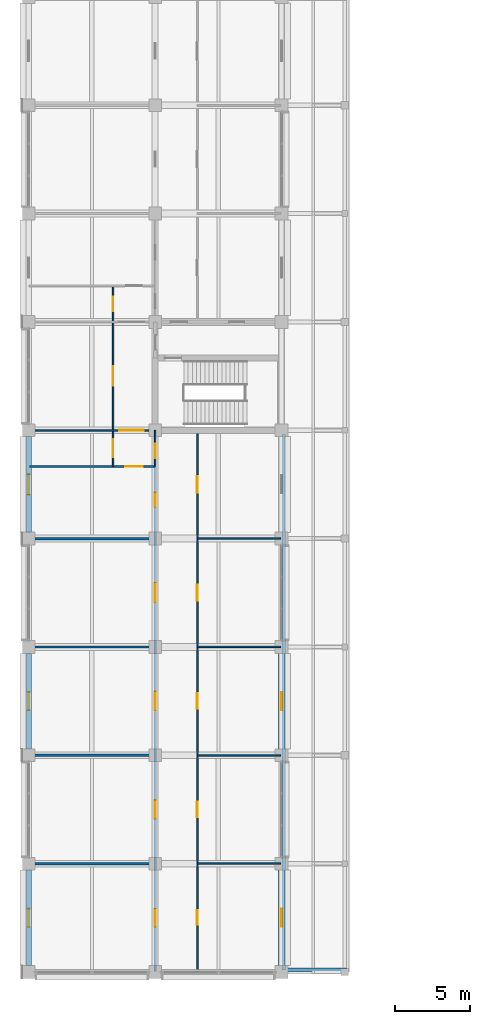
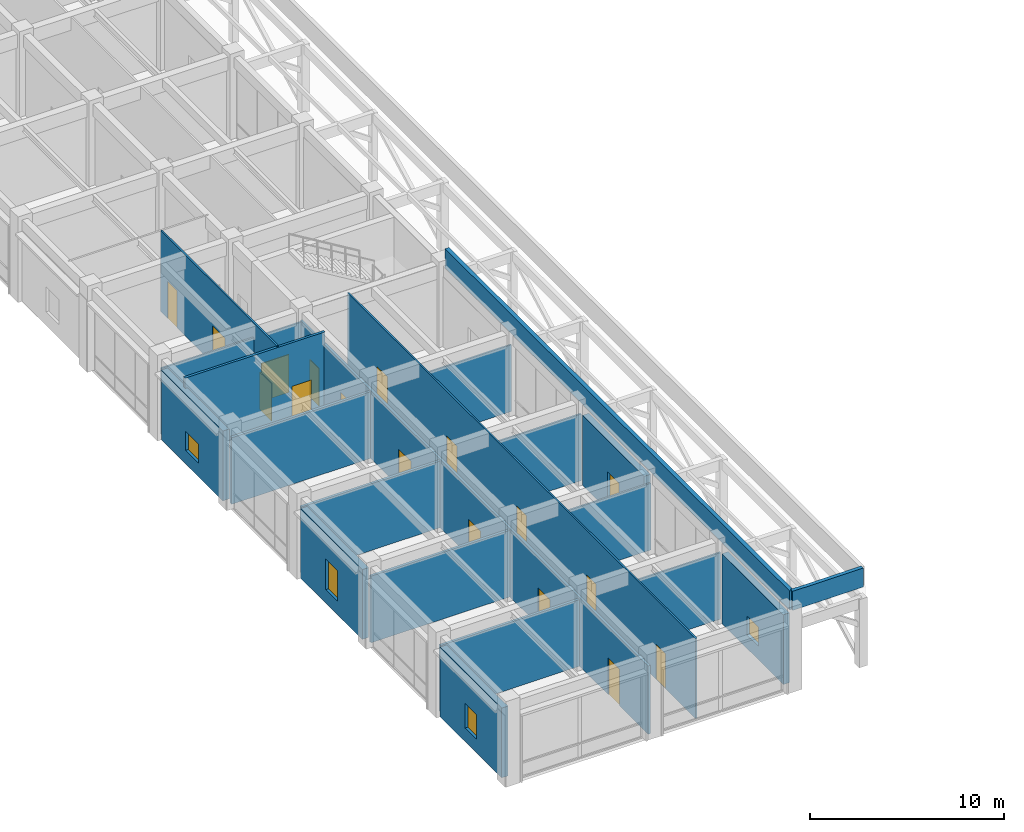
# One storey, part 36 of 68: 21 walls, 16 doors, 5 windows, 21 openings.
"""IFC4 building model written with IfcOpenShell, lengths in metres."""

import ifcopenshell
import ifcopenshell.guid

model = None  # the IFC model being written
_history = None  # IfcOwnerHistory: only IFC2X3 demands one
_inside = {}  # id of a spatial element -> (the spatial element, [elements in it])
_under = {}  # id of a project, library or spatial element -> (it, [spatial elements below it])
_declared = {}  # id of a project -> (the project, [libraries it declares])
_typed = {}  # id of a type object -> (the type object, [elements of that type])
_made_of = {}  # id of a material, layer set ... -> (it, [elements and type objects made of it])


def new_model(schema):
    """Start an empty IFC model of exactly this schema.

    Asked for "IFC4X3", IfcOpenShell would pick the latest addendum, in which some entities
    have other attributes; the version numbers below select the first issue.
    IFC2X3 requires an IfcOwnerHistory on every rooted entity: one is made here for all.
    """
    global model, _history
    if schema == "IFC4X3":
        model = ifcopenshell.file(schema_version=(4, 3, 0, 0))
    else:
        model = ifcopenshell.file(schema=schema)
    _inside.clear()
    _under.clear()
    _declared.clear()
    _typed.clear()
    _made_of.clear()
    _history = None
    if model.schema == "IFC2X3":
        org = make("IfcOrganization", Name="unknown")
        user = make(
            "IfcPersonAndOrganization",
            ThePerson=make("IfcPerson", FamilyName="unknown"),
            TheOrganization=org,
        )
        app = make(
            "IfcApplication",
            ApplicationDeveloper=org,
            Version="unknown",
            ApplicationFullName="unknown",
            ApplicationIdentifier="unknown",
        )
        _history = make(
            "IfcOwnerHistory",
            OwningUser=user,
            OwningApplication=app,
            ChangeAction="ADDED",
            CreationDate=0,
        )
    return model


def make(cls, **values):
    """One entity of the class cls with the attributes given. An attribute that is None is left unset."""
    return model.create_entity(
        cls, **{name: value for name, value in values.items() if value is not None}
    )


def rooted(cls, **values):
    """An entity with a GlobalId (a new one), such as an element, a storey or a relation."""
    return make(cls, GlobalId=ifcopenshell.guid.new(), OwnerHistory=_history, **values)


def si_unit(unit_type, name, prefix=None):
    """IfcSIUnit, for example si_unit("LENGTHUNIT", "METRE", prefix="MILLI")."""
    return make("IfcSIUnit", UnitType=unit_type, Prefix=prefix, Name=name)


def assignment(units):
    """IfcUnitAssignment: the units of a project."""
    return None if units is None else make("IfcUnitAssignment", Units=units)


def point(xyz):
    """IfcCartesianPoint."""
    return None if xyz is None else make("IfcCartesianPoint", Coordinates=xyz)


def direction(xyz):
    """IfcDirection."""
    return None if xyz is None else make("IfcDirection", DirectionRatios=xyz)


def frame(location, z_axis=None, x_axis=None):
    """IfcAxis2Placement3D, a coordinate frame: its origin and axes. An axis left out is left unset."""
    return make(
        "IfcAxis2Placement3D",
        Location=point(location),
        Axis=direction(z_axis),
        RefDirection=direction(x_axis),
    )


def frame_2d(location, x_axis=None):
    """IfcAxis2Placement2D, a coordinate frame in the plane: its origin and x axis."""
    return make(
        "IfcAxis2Placement2D", Location=point(location), RefDirection=direction(x_axis)
    )


def origin():
    """The frame at (0, 0, 0) with its axes left unset."""
    return frame((0.0, 0.0, 0.0))


def place(relative_to, where):
    """IfcLocalPlacement: puts the frame where relative to a parent placement (None: the world)."""
    return make(
        "IfcLocalPlacement", PlacementRelTo=relative_to, RelativePlacement=where
    )


def context(
    kind, dimensions, precision=None, world=None, true_north=None, identifier=None
):
    """IfcGeometricRepresentationContext, for example the 3D "Model" context."""
    return make(
        "IfcGeometricRepresentationContext",
        ContextIdentifier=identifier,
        ContextType=kind,
        CoordinateSpaceDimension=dimensions,
        Precision=precision,
        WorldCoordinateSystem=world,
        TrueNorth=true_north,
    )


def subcontext(parent, identifier, kind, view, scale=None):
    """IfcGeometricRepresentationSubContext, for example "Body" below "Model"."""
    return make(
        "IfcGeometricRepresentationSubContext",
        ContextIdentifier=identifier,
        ContextType=kind,
        ParentContext=parent,
        TargetScale=scale,
        TargetView=view,
    )


def project(units=None, contexts=None):
    """IfcProject with its units and contexts."""
    return rooted(
        "IfcProject",
        Name="project",
        RepresentationContexts=contexts,
        UnitsInContext=assignment(units),
    )


def spatial(cls, under=None, at=None, **own):
    """A site, building, storey or space (cls), placed at a placement, below another one or the project."""
    s = rooted(cls, ObjectPlacement=at, **own)
    if under is not None:
        _under.setdefault(under.id(), (under, []))[1].append(s)
    return s


def profile(cls, at=None, kind="AREA", **sizes):
    """A parametric profile (cls). Its sizes go by their IFC names, for example OverallWidth=200.0."""
    return make(cls, ProfileType=kind, Position=at, **sizes)


def rectangle(**sizes):
    """IfcRectangleProfileDef."""
    return profile("IfcRectangleProfileDef", **sizes)


def extrude(swept, where, along, depth):
    """IfcExtrudedAreaSolid: the profile swept, set in the frame where, extruded along a direction by depth."""
    return make(
        "IfcExtrudedAreaSolid",
        SweptArea=swept,
        Position=where,
        ExtrudedDirection=direction(along),
        Depth=depth,
    )


def shape(context_of_items, identifier, shape_type, items):
    """IfcShapeRepresentation: the items that make up one representation, for example the "Body"."""
    return make(
        "IfcShapeRepresentation",
        ContextOfItems=context_of_items,
        RepresentationIdentifier=identifier,
        RepresentationType=shape_type,
        Items=items,
    )


def material(Name=None, Category=None):
    """IfcMaterial."""
    return make("IfcMaterial", Name=Name, Category=Category)


def layer(
    of_material, thickness, ventilated=None, Name=None, Category=None, Priority=None
):
    """IfcMaterialLayer: one layer of a wall or slab, of a material (None: an air gap)."""
    return make(
        "IfcMaterialLayer",
        Material=of_material,
        LayerThickness=thickness,
        IsVentilated=ventilated,
        Name=Name,
        Category=Category,
        Priority=Priority,
    )


def layer_set(layers, Name=None):
    """IfcMaterialLayerSet."""
    return make("IfcMaterialLayerSet", MaterialLayers=layers, LayerSetName=Name)


def made_of(thing, what):
    """Note that an element or type object is made of a material, layer set ...; save() writes the relation."""
    if what is not None:
        _made_of.setdefault(what.id(), (what, []))[1].append(thing)
    return thing


def type_object(cls, material=None, **own):
    """A type object (cls), such as IfcWallType, which elements share."""
    return made_of(rooted(cls, **own), material)


def element(
    cls,
    number,
    at=None,
    inside=None,
    cuts=None,
    type_object=None,
    material=None,
    context=None,
    identifier="Body",
    shape_type=None,
    held_by="IfcProductDefinitionShape",
    body=None,
    shapes=None,
    **own,
):
    """One element of the class cls, such as IfcWall. Its Tag is "e" and its number.

    at: its placement. inside: the storey or other place that contains it. cuts: it is an
    opening in that element (IfcRelVoidsElement). A single representation is given by context,
    identifier, shape_type and body (its items); several are given by shapes. held_by: the class
    of the entity that holds the representations. save() writes the other relations.
    """
    e = rooted(cls, Tag="e%d" % number, ObjectPlacement=at, **own)
    if body is not None:
        shapes = [shape(context, identifier, shape_type, body)]
    if shapes is not None:
        e.Representation = make(held_by, Representations=shapes)
    if inside is not None:
        _inside.setdefault(inside.id(), (inside, []))[1].append(e)
    if cuts is not None:
        rooted(
            "IfcRelVoidsElement", RelatingBuildingElement=cuts, RelatedOpeningElement=e
        )
    if type_object is not None:
        _typed.setdefault(type_object.id(), (type_object, []))[1].append(e)
    return made_of(e, material)


def fill(opening, filler):
    """IfcRelFillsElement: the door or window that sits in an opening."""
    return rooted(
        "IfcRelFillsElement",
        RelatingOpeningElement=opening,
        RelatedBuildingElement=filler,
    )


def aggregate(whole, parts):
    """IfcRelAggregates: a whole, such as a stair, and the parts it consists of."""
    return rooted("IfcRelAggregates", RelatingObject=whole, RelatedObjects=parts)


def save(model, path):
    """Write the relations noted so far, then the file.

    IfcRelAggregates (storeys below a building ...), IfcRelContainedInSpatialStructure (elements
    in a storey), IfcRelDefinesByType, IfcRelAssociatesMaterial and IfcRelDeclares: one each for
    every whole, place, type object, material and project.
    """
    for whole, parts in _under.values():
        aggregate(whole, parts)
    for where, things in _inside.values():
        rooted(
            "IfcRelContainedInSpatialStructure",
            RelatedElements=things,
            RelatingStructure=where,
        )
    for kind, things in _typed.values():
        rooted("IfcRelDefinesByType", RelatedObjects=things, RelatingType=kind)
    for what, things in _made_of.values():
        rooted("IfcRelAssociatesMaterial", RelatedObjects=things, RelatingMaterial=what)
    for by, libraries in _declared.values():
        rooted("IfcRelDeclares", RelatingContext=by, RelatedDefinitions=libraries)
    model.write(path)


model = new_model("IFC4")

# Units and contexts
model_context = context("Model", 3, precision=1e-05, world=origin(), true_north=direction((0.0, 1.0)))
body_context = subcontext(model_context, "Body", "Model", "MODEL_VIEW")
ifc_project = project(units=[si_unit("LENGTHUNIT", "METRE"), si_unit("AREAUNIT", "SQUARE_METRE"), si_unit("VOLUMEUNIT", "CUBIC_METRE"), si_unit("PLANEANGLEUNIT", "RADIAN"), si_unit("MASSUNIT", "GRAM", prefix="KILO")], contexts=[model_context])

# Site, building, storey
site_placement = place(None, origin())
site = spatial("IfcSite", under=ifc_project, at=site_placement, CompositionType="ELEMENT")
building_placement = place(site_placement, origin())
building = spatial("IfcBuilding", under=site, at=building_placement, Name="Chengyuan Square Courthouse", CompositionType="ELEMENT")
storey_placement = place(building_placement, frame((0.0, 0.0, 5.39990234375)))
storey = spatial("IfcBuildingStorey", under=building, at=storey_placement, Name="L02", CompositionType="ELEMENT", Elevation=5.39990234375)

# Wall, opening, window
ifc_material_1 = material(Name="Concrete C40", Category="concrete")
ifc_layer_1 = layer(ifc_material_1, 0.3798828125)
ifc_layer_set_1 = layer_set([ifc_layer_1], Name="Concrete C40")
wall_type_1 = type_object("IfcWallType", Name="WL-EW1", PredefinedType="STANDARD", material=ifc_layer_set_1)
wall_1_placement = place(storey_placement, frame((0.0, 0.419921875, 0.0), z_axis=(0.0, 0.0, 1.0), x_axis=(0.0, 1.0, 0.0)))
wall_1 = element("IfcWall", 1, at=wall_1_placement, inside=storey, type_object=wall_type_1, Name="Exterior Wall WL-L02-E205", PredefinedType="STANDARD", context=body_context, shape_type="SweptSolid", body=[
    extrude(rectangle(XDim=6.360107421875, YDim=0.3798828125, at=frame_2d((3.18017578125, 0.0))), origin(), (0.0, 0.0, 1.0), 4.400146484375),
])
opening_1_placement = place(wall_1_placement, frame((2.580078125, 0.0, 0.85009765625)))
opening_1 = element("IfcOpeningElement", 2, at=opening_1_placement, cuts=wall_1, Name="Opening WN-019", PredefinedType="OPENING", context=body_context, shape_type="SweptSolid", body=[
    extrude(rectangle(XDim=1.199951171875, YDim=1.56005859375, at=frame_2d((0.60009765625, 0.780029296875))), frame((0.0, 0.201904296875, 0.0), z_axis=(0.0, -1.0, 0.0), x_axis=(1.0, 0.0, 0.0)), (0.0, 0.0, 1.0), 0.40380859375),
])
ifc_material_2 = material(Name="Thermally Broken Aluminium Triple Low-E Window", Category="aluminium")
window_type_1 = type_object("IfcWindowType", Name="WT-15", PartitioningType="SINGLE_PANEL", PredefinedType="WINDOW", material=ifc_material_2)
window_1_placement = place(opening_1_placement, origin())
window_1 = element("IfcWindow", 3, at=window_1_placement, inside=storey, type_object=window_type_1, Name="Facade Window WN-019", OverallHeight=1.56005859375, OverallWidth=1.199951171875, PartitioningType="SINGLE_PANEL", PredefinedType="WINDOW", context=body_context, shape_type="SweptSolid", body=[
    extrude(rectangle(XDim=1.199951171875, YDim=1.56005859375, at=frame_2d((0.60009765625, 0.780029296875))), frame((0.0, 0.030029296875, 0.0), z_axis=(0.0, -1.0, 0.0), x_axis=(1.0, 0.0, 0.0)), (0.0, 0.0, 1.0), 0.06005859375),
])
fill(opening_1, window_1)

wall_2_placement = place(storey_placement, frame((0.0, 14.820068359375, 0.0), z_axis=(0.0, 0.0, 1.0), x_axis=(0.0, 1.0, 0.0)))
wall_2 = element("IfcWall", 4, at=wall_2_placement, inside=storey, type_object=wall_type_1, Name="Exterior Wall WL-L02-E206", PredefinedType="STANDARD", context=body_context, shape_type="SweptSolid", body=[
    extrude(rectangle(XDim=6.35986328125, YDim=0.3798828125, at=frame_2d((3.179931640625, 0.0))), origin(), (0.0, 0.0, 1.0), 4.400146484375),
])
opening_2_placement = place(wall_2_placement, frame((2.580078125, 0.0, 0.85009765625)))
opening_2 = element("IfcOpeningElement", 5, at=opening_2_placement, cuts=wall_2, Name="Opening WN-020", PredefinedType="OPENING", context=body_context, shape_type="SweptSolid", body=[
    extrude(rectangle(XDim=1.199951171875, YDim=1.919921875, at=frame_2d((0.60009765625, 0.9599609375))), frame((0.0, 0.201904296875, 0.0), z_axis=(0.0, -1.0, 0.0), x_axis=(1.0, 0.0, 0.0)), (0.0, 0.0, 1.0), 0.40380859375),
])
window_type_2 = type_object("IfcWindowType", Name="WT-17", PartitioningType="SINGLE_PANEL", PredefinedType="WINDOW", material=ifc_material_2)
window_2_placement = place(opening_2_placement, origin())
window_2 = element("IfcWindow", 6, at=window_2_placement, inside=storey, type_object=window_type_2, Name="Facade Window WN-020", OverallHeight=1.919921875, OverallWidth=1.199951171875, PartitioningType="SINGLE_PANEL", PredefinedType="WINDOW", context=body_context, shape_type="SweptSolid", body=[
    extrude(rectangle(XDim=1.199951171875, YDim=1.919921875, at=frame_2d((0.60009765625, 0.9599609375))), frame((0.0, 0.030029296875, 0.0), z_axis=(0.0, -1.0, 0.0), x_axis=(1.0, 0.0, 0.0)), (0.0, 0.0, 1.0), 0.06005859375),
])
fill(opening_2, window_2)

wall_3_placement = place(storey_placement, frame((0.0, 29.219970703125, 0.0), z_axis=(0.0, 0.0, 1.0), x_axis=(0.0, 1.0, 0.0)))
wall_3 = element("IfcWall", 7, at=wall_3_placement, inside=storey, type_object=wall_type_1, Name="Exterior Wall WL-L02-E207", PredefinedType="STANDARD", context=body_context, shape_type="SweptSolid", body=[
    extrude(rectangle(XDim=6.360107421875, YDim=0.3798828125, at=frame_2d((3.18017578125, 0.0))), origin(), (0.0, 0.0, 1.0), 4.400146484375),
])
opening_3_placement = place(wall_3_placement, frame((2.5048828125, 0.0, 0.85009765625)))
opening_3 = element("IfcOpeningElement", 8, at=opening_3_placement, cuts=wall_3, Name="Opening WN-021", PredefinedType="OPENING", context=body_context, shape_type="SweptSolid", body=[
    extrude(rectangle(XDim=1.35009765625, YDim=1.199951171875, at=frame_2d((0.675048828125, 0.60009765625))), frame((0.0, 0.201904296875, 0.0), z_axis=(0.0, -1.0, 0.0), x_axis=(1.0, 0.0, 0.0)), (0.0, 0.0, 1.0), 0.40380859375),
])
window_type_3 = type_object("IfcWindowType", Name="WT-19", PartitioningType="SINGLE_PANEL", PredefinedType="WINDOW", material=ifc_material_2)
window_3_placement = place(opening_3_placement, origin())
window_3 = element("IfcWindow", 9, at=window_3_placement, inside=storey, type_object=window_type_3, Name="Facade Window WN-021", OverallHeight=1.199951171875, OverallWidth=1.35009765625, PartitioningType="SINGLE_PANEL", PredefinedType="WINDOW", context=body_context, shape_type="SweptSolid", body=[
    extrude(rectangle(XDim=1.35009765625, YDim=1.199951171875, at=frame_2d((0.675048828125, 0.60009765625))), frame((0.0, 0.030029296875, 0.0), z_axis=(0.0, -1.0, 0.0), x_axis=(1.0, 0.0, 0.0)), (0.0, 0.0, 1.0), 0.06005859375),
])
fill(opening_3, window_3)

wall_4_placement = place(storey_placement, frame((16.800048828125, 0.419921875, 0.0), z_axis=(0.0, 0.0, 1.0), x_axis=(0.0, 1.0, 0.0)))
wall_4 = element("IfcWall", 10, at=wall_4_placement, inside=storey, type_object=wall_type_1, Name="Exterior Wall WL-L02-E216", PredefinedType="STANDARD", context=body_context, shape_type="SweptSolid", body=[
    extrude(rectangle(XDim=6.360107421875, YDim=0.3798828125, at=frame_2d((3.18017578125, 0.0))), origin(), (0.0, 0.0, 1.0), 4.400146484375),
])
opening_4_placement = place(wall_4_placement, frame((2.580078125, 0.0, 0.85009765625)))
opening_4 = element("IfcOpeningElement", 11, at=opening_4_placement, cuts=wall_4, Name="Opening WN-030", PredefinedType="OPENING", context=body_context, shape_type="SweptSolid", body=[
    extrude(rectangle(XDim=1.199951171875, YDim=1.199951171875, at=frame_2d((0.60009765625, 0.60009765625))), frame((0.0, 0.201904296875, 0.0), z_axis=(0.0, -1.0, 0.0), x_axis=(1.0, 0.0, 0.0)), (0.0, 0.0, 1.0), 0.40380859375),
])
window_type_4 = type_object("IfcWindowType", Name="WT-13", PartitioningType="SINGLE_PANEL", PredefinedType="WINDOW", material=ifc_material_2)
window_4_placement = place(opening_4_placement, origin())
window_4 = element("IfcWindow", 12, at=window_4_placement, inside=storey, type_object=window_type_4, Name="Facade Window WN-030", OverallHeight=1.199951171875, OverallWidth=1.199951171875, PartitioningType="SINGLE_PANEL", PredefinedType="WINDOW", context=body_context, shape_type="SweptSolid", body=[
    extrude(rectangle(XDim=1.199951171875, YDim=1.199951171875, at=frame_2d((0.60009765625, 0.60009765625))), frame((0.0, 0.030029296875, 0.0), z_axis=(0.0, -1.0, 0.0), x_axis=(1.0, 0.0, 0.0)), (0.0, 0.0, 1.0), 0.06005859375),
])
fill(opening_4, window_4)

wall_5_placement = place(storey_placement, frame((16.800048828125, 14.820068359375, 0.0), z_axis=(0.0, 0.0, 1.0), x_axis=(0.0, 1.0, 0.0)))
wall_5 = element("IfcWall", 13, at=wall_5_placement, inside=storey, type_object=wall_type_1, Name="Exterior Wall WL-L02-E217", PredefinedType="STANDARD", context=body_context, shape_type="SweptSolid", body=[
    extrude(rectangle(XDim=6.35986328125, YDim=0.3798828125, at=frame_2d((3.179931640625, 0.0))), origin(), (0.0, 0.0, 1.0), 4.400146484375),
])
opening_5_placement = place(wall_5_placement, frame((2.580078125, 0.0, 0.85009765625)))
opening_5 = element("IfcOpeningElement", 14, at=opening_5_placement, cuts=wall_5, Name="Opening WN-031", PredefinedType="OPENING", context=body_context, shape_type="SweptSolid", body=[
    extrude(rectangle(XDim=1.199951171875, YDim=1.56005859375, at=frame_2d((0.60009765625, 0.780029296875))), frame((0.0, 0.201904296875, 0.0), z_axis=(0.0, -1.0, 0.0), x_axis=(1.0, 0.0, 0.0)), (0.0, 0.0, 1.0), 0.40380859375),
])
window_5_placement = place(opening_5_placement, origin())
window_5 = element("IfcWindow", 15, at=window_5_placement, inside=storey, type_object=window_type_1, Name="Facade Window WN-031", OverallHeight=1.56005859375, OverallWidth=1.199951171875, PartitioningType="SINGLE_PANEL", PredefinedType="WINDOW", context=body_context, shape_type="SweptSolid", body=[
    extrude(rectangle(XDim=1.199951171875, YDim=1.56005859375, at=frame_2d((0.60009765625, 0.780029296875))), frame((0.0, 0.030029296875, 0.0), z_axis=(0.0, -1.0, 0.0), x_axis=(1.0, 0.0, 0.0)), (0.0, 0.0, 1.0), 0.06005859375),
])
fill(opening_5, window_5)

# Walls
ifc_layer_2 = layer(ifc_material_1, 0.219970703125)
ifc_layer_set_2 = layer_set([ifc_layer_2], Name="Concrete C40")
wall_type_2 = type_object("IfcWallType", Name="WL-PR1", PredefinedType="PARAPET", material=ifc_layer_set_2)
wall_6_placement = place(storey_placement, frame((16.93994140625, 0.139892578125, 4.800048828125), z_axis=(0.0, 0.0, 1.0), x_axis=(1.0, 0.0, 0.0)))
element("IfcWall", 16, at=wall_6_placement, inside=storey, type_object=wall_type_2, Name="Roof Parapet Wall PAR-L02-001", PredefinedType="PARAPET", context=body_context, shape_type="SweptSolid", body=[
    extrude(rectangle(XDim=4.219970703125, YDim=0.219970703125, at=frame_2d((2.10986328125, 0.0))), origin(), (0.0, 0.0, 1.0), 1.199951171875),
])
ifc_layer_3 = layer(ifc_material_1, 0.239990234375)
ifc_layer_set_3 = layer_set([ifc_layer_3], Name="Concrete C40")
wall_type_3 = type_object("IfcWallType", Name="WL-PR2", PredefinedType="PARAPET", material=ifc_layer_set_3)
wall_7_placement = place(storey_placement, frame((16.93994140625, 35.73486328125, 4.800048828125), z_axis=(0.0, 0.0, 1.0), x_axis=(0.0, -1.0, 0.0)))
element("IfcWall", 17, at=wall_7_placement, inside=storey, type_object=wall_type_3, Name="Roof Parapet Wall PAR-L02-004", PredefinedType="PARAPET", context=body_context, shape_type="SweptSolid", body=[
    extrude(rectangle(XDim=35.594970703125, YDim=0.239990234375, at=frame_2d((17.79736328125, 0.0))), origin(), (0.0, 0.0, 1.0), 1.199951171875),
])
ifc_material_3 = material(Name="Deliberation Room Sound-Insulated Partition")
ifc_layer_4 = layer(ifc_material_3, 0.14990234375)
ifc_layer_set_4 = layer_set([ifc_layer_4], Name="Deliberation Room Sound-Insulated Partition")
wall_type_4 = type_object("IfcWallType", Name="WL-PT3", PredefinedType="STANDARD", material=ifc_layer_set_4)
for number, where, z_axis, x_axis, name in (
    (18, (0.0400390625, 7.199951171875, 0.0), (0.0, 0.0, 1.0), (1.0, 0.0, 0.0), "Interior Wall WL-L02-I1012"),
    (19, (0.0400390625, 14.39990234375, 0.0), (0.0, 0.0, 1.0), (1.0, 0.0, 0.0), "Interior Wall WL-L02-I1016"),
    (20, (0.0400390625, 21.60009765625, 0.0), (0.0, 0.0, 1.0), (1.0, 0.0, 0.0), "Interior Wall WL-L02-I1020"),
    (21, (0.0400390625, 28.800048828125, 0.0), (0.0, 0.0, 1.0), (1.0, 0.0, 0.0), "Interior Wall WL-L02-I1024"),
):
    element("IfcWall", number, at=place(storey_placement, frame(where, z_axis=z_axis, x_axis=x_axis)), inside=storey, type_object=wall_type_4, Name=name, PredefinedType="STANDARD", context=body_context, shape_type="SweptSolid", body=[
        extrude(rectangle(XDim=8.35986328125, YDim=0.14990234375, at=frame_2d((4.179931640625, 0.0))), origin(), (0.0, 0.0, 1.0), 4.2001953125),
    ])

# Wall, opening, door
wall_8_placement = place(storey_placement, frame((0.0400390625, 33.60009765625, 0.0), z_axis=(0.0, 0.0, 1.0), x_axis=(1.0, 0.0, 0.0)))
wall_8 = element("IfcWall", 22, at=wall_8_placement, inside=storey, type_object=wall_type_4, Name="Interior Wall WL-L02-I1028", PredefinedType="STANDARD", context=body_context, shape_type="SweptSolid", body=[
    extrude(rectangle(XDim=8.35986328125, YDim=0.14990234375, at=frame_2d((4.179931640625, 0.0))), origin(), (0.0, 0.0, 1.0), 5.050048828125),
])
opening_6_placement = place(wall_8_placement, frame((6.3798828125, 0.0, 0.0)))
opening_6 = element("IfcOpeningElement", 23, at=opening_6_placement, cuts=wall_8, Name="Opening DR-1281", PredefinedType="OPENING", context=body_context, shape_type="SweptSolid", body=[
    extrude(rectangle(XDim=1.159912109375, YDim=2.300048828125, at=frame_2d((0.580078125, 1.14990234375))), frame((0.0, 0.0869140625, 0.0), z_axis=(0.0, -1.0, 0.0), x_axis=(1.0, 0.0, 0.0)), (0.0, 0.0, 1.0), 0.173828125),
])
ifc_material_4 = material(Name="Acoustic Solid-Core Timber Door", Category="wood")
door_type_1 = type_object("IfcDoorType", Name="DT-35", OperationType="NOTDEFINED", PredefinedType="DOOR", material=ifc_material_4)
door_1_placement = place(opening_6_placement, origin())
door_1 = element("IfcDoor", 24, at=door_1_placement, inside=storey, type_object=door_type_1, Name="Interior Door DR-1281", OperationType="SINGLE_SWING_RIGHT", OverallHeight=2.300048828125, OverallWidth=1.159912109375, PredefinedType="DOOR", context=body_context, shape_type="SweptSolid", body=[
    extrude(rectangle(XDim=1.159912109375, YDim=2.300048828125, at=frame_2d((0.580078125, 1.14990234375))), frame((0.0, 0.02490234375, 0.0), z_axis=(0.0, -1.0, 0.0), x_axis=(1.0, 0.0, 0.0)), (0.0, 0.0, 1.0), 0.050048828125),
])
fill(opening_6, door_1)

# Wall, openings, doors
wall_9_placement = place(storey_placement, frame((8.39990234375, 0.0400390625, 0.0), z_axis=(0.0, 0.0, 1.0), x_axis=(0.0, 1.0, 0.0)))
wall_9 = element("IfcWall", 25, at=wall_9_placement, inside=storey, type_object=wall_type_4, Name="Interior Wall WL-L02-I1204", PredefinedType="STANDARD", context=body_context, shape_type="SweptSolid", body=[
    extrude(rectangle(XDim=33.56005859375, YDim=0.14990234375, at=frame_2d((16.780029296875, 0.0))), origin(), (0.0, 0.0, 1.0), 4.300048828125),
])
opening_7_placement = place(wall_9_placement, frame((2.97998046875, 0.0, 0.0)))
opening_7 = element("IfcOpeningElement", 26, at=opening_7_placement, cuts=wall_9, Name="Opening DR-1264", PredefinedType="OPENING", context=body_context, shape_type="SweptSolid", body=[
    extrude(rectangle(XDim=1.159912109375, YDim=2.300048828125, at=frame_2d((0.580078125, 1.14990234375))), frame((0.0, 0.0869140625, 0.0), z_axis=(0.0, -1.0, 0.0), x_axis=(1.0, 0.0, 0.0)), (0.0, 0.0, 1.0), 0.173828125),
])
opening_8_placement = place(wall_9_placement, frame((10.159912109375, 0.0, 0.0)))
opening_8 = element("IfcOpeningElement", 27, at=opening_8_placement, cuts=wall_9, Name="Opening DR-1265", PredefinedType="OPENING", context=body_context, shape_type="SweptSolid", body=[
    extrude(rectangle(XDim=1.199951171875, YDim=2.35009765625, at=frame_2d((0.60009765625, 1.175048828125))), frame((0.0, 0.0869140625, 0.0), z_axis=(0.0, -1.0, 0.0), x_axis=(1.0, 0.0, 0.0)), (0.0, 0.0, 1.0), 0.173828125),
])
opening_9_placement = place(wall_9_placement, frame((17.340087890625, 0.0, 0.0)))
opening_9 = element("IfcOpeningElement", 28, at=opening_9_placement, cuts=wall_9, Name="Opening DR-1266", PredefinedType="OPENING", context=body_context, shape_type="SweptSolid", body=[
    extrude(rectangle(XDim=1.239990234375, YDim=2.300048828125, at=frame_2d((0.6201171875, 1.14990234375))), frame((0.0, 0.0869140625, 0.0), z_axis=(0.0, -1.0, 0.0), x_axis=(1.0, 0.0, 0.0)), (0.0, 0.0, 1.0), 0.173828125),
])
opening_10_placement = place(wall_9_placement, frame((24.52001953125, 0.0, 0.0)))
opening_10 = element("IfcOpeningElement", 29, at=opening_10_placement, cuts=wall_9, Name="Opening DR-1267", PredefinedType="OPENING", context=body_context, shape_type="SweptSolid", body=[
    extrude(rectangle(XDim=1.280029296875, YDim=2.35009765625, at=frame_2d((0.64013671875, 1.175048828125))), frame((0.0, 0.0869140625, 0.0), z_axis=(0.0, -1.0, 0.0), x_axis=(1.0, 0.0, 0.0)), (0.0, 0.0, 1.0), 0.173828125),
])
opening_11_placement = place(wall_9_placement, frame((30.862548828125, 0.0, 0.0)))
opening_11 = element("IfcOpeningElement", 30, at=opening_11_placement, cuts=wall_9, Name="Opening DR-1268", PredefinedType="OPENING", context=body_context, shape_type="SweptSolid", body=[
    extrude(rectangle(XDim=0.93994140625, YDim=2.300048828125, at=frame_2d((0.469970703125, 1.14990234375))), frame((0.0, 0.0869140625, 0.0), z_axis=(0.0, -1.0, 0.0), x_axis=(1.0, 0.0, 0.0)), (0.0, 0.0, 1.0), 0.173828125),
])
door_2_placement = place(opening_7_placement, origin())
door_2 = element("IfcDoor", 31, at=door_2_placement, inside=storey, type_object=door_type_1, Name="Interior Door DR-1264", OperationType="SINGLE_SWING_LEFT", OverallHeight=2.300048828125, OverallWidth=1.159912109375, PredefinedType="DOOR", context=body_context, shape_type="SweptSolid", body=[
    extrude(rectangle(XDim=1.159912109375, YDim=2.300048828125, at=frame_2d((0.580078125, 1.14990234375))), frame((0.0, 0.02490234375, 0.0), z_axis=(0.0, -1.0, 0.0), x_axis=(1.0, 0.0, 0.0)), (0.0, 0.0, 1.0), 0.050048828125),
])
fill(opening_7, door_2)
door_type_2 = type_object("IfcDoorType", Name="DT-36", OperationType="NOTDEFINED", PredefinedType="DOOR", material=ifc_material_4)
door_3_placement = place(opening_8_placement, origin())
door_3 = element("IfcDoor", 32, at=door_3_placement, inside=storey, type_object=door_type_2, Name="Interior Door DR-1265", OperationType="SINGLE_SWING_RIGHT", OverallHeight=2.35009765625, OverallWidth=1.199951171875, PredefinedType="DOOR", context=body_context, shape_type="SweptSolid", body=[
    extrude(rectangle(XDim=1.199951171875, YDim=2.35009765625, at=frame_2d((0.60009765625, 1.175048828125))), frame((0.0, 0.02490234375, 0.0), z_axis=(0.0, -1.0, 0.0), x_axis=(1.0, 0.0, 0.0)), (0.0, 0.0, 1.0), 0.050048828125),
])
fill(opening_8, door_3)
door_type_3 = type_object("IfcDoorType", Name="DT-37", OperationType="NOTDEFINED", PredefinedType="DOOR", material=ifc_material_4)
door_4_placement = place(opening_9_placement, origin())
door_4 = element("IfcDoor", 33, at=door_4_placement, inside=storey, type_object=door_type_3, Name="Interior Door DR-1266", OperationType="SINGLE_SWING_LEFT", OverallHeight=2.300048828125, OverallWidth=1.239990234375, PredefinedType="DOOR", context=body_context, shape_type="SweptSolid", body=[
    extrude(rectangle(XDim=1.239990234375, YDim=2.300048828125, at=frame_2d((0.6201171875, 1.14990234375))), frame((0.0, 0.02490234375, 0.0), z_axis=(0.0, -1.0, 0.0), x_axis=(1.0, 0.0, 0.0)), (0.0, 0.0, 1.0), 0.050048828125),
])
fill(opening_9, door_4)
door_type_4 = type_object("IfcDoorType", Name="DT-38", OperationType="NOTDEFINED", PredefinedType="DOOR", material=ifc_material_4)
door_5_placement = place(opening_10_placement, origin())
door_5 = element("IfcDoor", 34, at=door_5_placement, inside=storey, type_object=door_type_4, Name="Interior Door DR-1267", OperationType="SINGLE_SWING_RIGHT", OverallHeight=2.35009765625, OverallWidth=1.280029296875, PredefinedType="DOOR", context=body_context, shape_type="SweptSolid", body=[
    extrude(rectangle(XDim=1.280029296875, YDim=2.35009765625, at=frame_2d((0.64013671875, 1.175048828125))), frame((0.0, 0.02490234375, 0.0), z_axis=(0.0, -1.0, 0.0), x_axis=(1.0, 0.0, 0.0)), (0.0, 0.0, 1.0), 0.050048828125),
])
fill(opening_10, door_5)
door_type_5 = type_object("IfcDoorType", Name="DT-39", OperationType="NOTDEFINED", PredefinedType="DOOR", material=ifc_material_4)
door_6_placement = place(opening_11_placement, origin())
door_6 = element("IfcDoor", 35, at=door_6_placement, inside=storey, type_object=door_type_5, Name="Interior Door DR-1268", OperationType="SINGLE_SWING_LEFT", OverallHeight=2.300048828125, OverallWidth=0.93994140625, PredefinedType="DOOR", context=body_context, shape_type="SweptSolid", body=[
    extrude(rectangle(XDim=0.93994140625, YDim=2.300048828125, at=frame_2d((0.469970703125, 1.14990234375))), frame((0.0, 0.02490234375, 0.0), z_axis=(0.0, -1.0, 0.0), x_axis=(1.0, 0.0, 0.0)), (0.0, 0.0, 1.0), 0.050048828125),
])
fill(opening_11, door_6)

# Walls
ifc_material_5 = material(Name="Gypsum Plasterboard Acoustic Stud Partition")
ifc_layer_5 = layer(ifc_material_5, 0.10009765625)
ifc_layer_set_5 = layer_set([ifc_layer_5], Name="Gypsum Plasterboard Acoustic Stud Partition")
wall_type_5 = type_object("IfcWallType", Name="WL-PT6", PredefinedType="STANDARD", material=ifc_layer_set_5)
for number, where, z_axis, x_axis, name in (
    (36, (11.199951171875, 7.199951171875, 0.0), (0.0, 0.0, 1.0), (1.0, 0.0, 0.0), "Interior Wall WL-L02-I1013"),
    (37, (11.199951171875, 14.39990234375, 0.0), (0.0, 0.0, 1.0), (1.0, 0.0, 0.0), "Interior Wall WL-L02-I1017"),
    (38, (11.199951171875, 21.60009765625, 0.0), (0.0, 0.0, 1.0), (1.0, 0.0, 0.0), "Interior Wall WL-L02-I1021"),
    (39, (11.199951171875, 28.800048828125, 0.0), (0.0, 0.0, 1.0), (1.0, 0.0, 0.0), "Interior Wall WL-L02-I1025"),
):
    element("IfcWall", number, at=place(storey_placement, frame(where, z_axis=z_axis, x_axis=x_axis)), inside=storey, type_object=wall_type_5, Name=name, PredefinedType="STANDARD", context=body_context, shape_type="SweptSolid", body=[
        extrude(rectangle(XDim=5.56005859375, YDim=0.10009765625, at=frame_2d((2.780029296875, 0.0))), origin(), (0.0, 0.0, 1.0), 4.2001953125),
    ])

# Wall, opening, door
wall_10_placement = place(storey_placement, frame((0.0400390625, 36.0, 0.0), z_axis=(0.0, 0.0, 1.0), x_axis=(1.0, 0.0, 0.0)))
wall_10 = element("IfcWall", 40, at=wall_10_placement, inside=storey, type_object=wall_type_5, Name="Interior Wall WL-L02-I1030", PredefinedType="STANDARD", context=body_context, shape_type="SweptSolid", body=[
    extrude(rectangle(XDim=8.35986328125, YDim=0.10009765625, at=frame_2d((4.179931640625, 0.0))), origin(), (0.0, 0.0, 1.0), 4.2001953125),
])
opening_12_placement = place(wall_10_placement, frame((5.96240234375, 0.0, 0.0)))
opening_12 = element("IfcOpeningElement", 41, at=opening_12_placement, cuts=wall_10, Name="Opening DR-1283", PredefinedType="OPENING", context=body_context, shape_type="SweptSolid", body=[
    extrude(rectangle(XDim=1.64990234375, YDim=2.39990234375, at=frame_2d((0.824951171875, 1.199951171875))), frame((0.0, 0.06201171875, 0.0), z_axis=(0.0, -1.0, 0.0), x_axis=(1.0, 0.0, 0.0)), (0.0, 0.0, 1.0), 0.1240234375),
])
ifc_material_6 = material(Name="Acoustic Larch Veneer Double Door")
door_type_6 = type_object("IfcDoorType", Name="DT-22", OperationType="DOUBLE_DOOR_SINGLE_SWING", PredefinedType="DOOR", material=ifc_material_6)
door_7_placement = place(opening_12_placement, frame((1.64990234375, 0.0, 0.0), z_axis=(0.0, 0.0, 1.0), x_axis=(-1.0, 0.0, 0.0)))
door_7 = element("IfcDoor", 42, at=door_7_placement, inside=storey, type_object=door_type_6, Name="Interior Door DR-1283", OperationType="DOUBLE_DOOR_SINGLE_SWING", OverallHeight=2.39990234375, OverallWidth=1.64990234375, PredefinedType="DOOR", context=body_context, shape_type="SweptSolid", body=[
    extrude(rectangle(XDim=1.64990234375, YDim=2.39990234375, at=frame_2d((0.824951171875, 1.199951171875))), frame((0.0, 0.02490234375, 0.0), z_axis=(0.0, -1.0, 0.0), x_axis=(1.0, 0.0, 0.0)), (0.0, 0.0, 1.0), 0.050048828125),
])
fill(opening_12, door_7)

# Wall, openings, doors
wall_11_placement = place(storey_placement, frame((5.60009765625, 33.60009765625, 0.0), z_axis=(0.0, 0.0, 1.0), x_axis=(0.0, 1.0, 0.0)))
wall_11 = element("IfcWall", 43, at=wall_11_placement, inside=storey, type_object=wall_type_5, Name="Interior Wall WL-L02-I1201", PredefinedType="STANDARD", context=body_context, shape_type="SweptSolid", body=[
    extrude(rectangle(XDim=12.0, YDim=0.10009765625, at=frame_2d((6.0, 0.0))), origin(), (0.0, 0.0, 1.0), 5.1201171875),
])
opening_13_placement = place(wall_11_placement, frame((0.60009765625, 0.0, 0.0)))
opening_13 = element("IfcOpeningElement", 44, at=opening_13_placement, cuts=wall_11, Name="Opening DR-1282", PredefinedType="OPENING", context=body_context, shape_type="SweptSolid", body=[
    extrude(rectangle(XDim=1.199951171875, YDim=2.35009765625, at=frame_2d((0.60009765625, 1.175048828125))), frame((0.0, 0.06201171875, 0.0), z_axis=(0.0, -1.0, 0.0), x_axis=(1.0, 0.0, 0.0)), (0.0, 0.0, 1.0), 0.1240234375),
])
opening_14_placement = place(wall_11_placement, frame((5.360107421875, 0.0, 0.0)))
opening_14 = element("IfcOpeningElement", 45, at=opening_14_placement, cuts=wall_11, Name="Opening DR-1284", PredefinedType="OPENING", context=body_context, shape_type="SweptSolid", body=[
    extrude(rectangle(XDim=1.280029296875, YDim=2.35009765625, at=frame_2d((0.64013671875, 1.175048828125))), frame((0.0, 0.06201171875, 0.0), z_axis=(0.0, -1.0, 0.0), x_axis=(1.0, 0.0, 0.0)), (0.0, 0.0, 1.0), 0.1240234375),
])
opening_15_placement = place(wall_11_placement, frame((10.31005859375, 0.0, 0.0)))
opening_15 = element("IfcOpeningElement", 46, at=opening_15_placement, cuts=wall_11, Name="Opening DR-1286", PredefinedType="OPENING", context=body_context, shape_type="SweptSolid", body=[
    extrude(rectangle(XDim=0.97998046875, YDim=2.35009765625, at=frame_2d((0.489990234375, 1.175048828125))), frame((0.0, 0.06201171875, 0.0), z_axis=(0.0, -1.0, 0.0), x_axis=(1.0, 0.0, 0.0)), (0.0, 0.0, 1.0), 0.1240234375),
])
door_8_placement = place(opening_13_placement, origin())
door_8 = element("IfcDoor", 47, at=door_8_placement, inside=storey, type_object=door_type_2, Name="Interior Door DR-1282", OperationType="SINGLE_SWING_LEFT", OverallHeight=2.35009765625, OverallWidth=1.199951171875, PredefinedType="DOOR", context=body_context, shape_type="SweptSolid", body=[
    extrude(rectangle(XDim=1.199951171875, YDim=2.35009765625, at=frame_2d((0.60009765625, 1.175048828125))), frame((0.0, 0.02490234375, 0.0), z_axis=(0.0, -1.0, 0.0), x_axis=(1.0, 0.0, 0.0)), (0.0, 0.0, 1.0), 0.050048828125),
])
fill(opening_13, door_8)
door_9_placement = place(opening_14_placement, origin())
door_9 = element("IfcDoor", 48, at=door_9_placement, inside=storey, type_object=door_type_4, Name="Interior Door DR-1284", OperationType="SINGLE_SWING_RIGHT", OverallHeight=2.35009765625, OverallWidth=1.280029296875, PredefinedType="DOOR", context=body_context, shape_type="SweptSolid", body=[
    extrude(rectangle(XDim=1.280029296875, YDim=2.35009765625, at=frame_2d((0.64013671875, 1.175048828125))), frame((0.0, 0.02490234375, 0.0), z_axis=(0.0, -1.0, 0.0), x_axis=(1.0, 0.0, 0.0)), (0.0, 0.0, 1.0), 0.050048828125),
])
fill(opening_14, door_9)
door_type_7 = type_object("IfcDoorType", Name="DT-40", OperationType="NOTDEFINED", PredefinedType="DOOR", material=ifc_material_4)
door_10_placement = place(opening_15_placement, origin())
door_10 = element("IfcDoor", 49, at=door_10_placement, inside=storey, type_object=door_type_7, Name="Interior Door DR-1286", OperationType="SINGLE_SWING_LEFT", OverallHeight=2.35009765625, OverallWidth=0.97998046875, PredefinedType="DOOR", context=body_context, shape_type="SweptSolid", body=[
    extrude(rectangle(XDim=0.97998046875, YDim=2.35009765625, at=frame_2d((0.489990234375, 1.175048828125))), frame((0.0, 0.02490234375, 0.0), z_axis=(0.0, -1.0, 0.0), x_axis=(1.0, 0.0, 0.0)), (0.0, 0.0, 1.0), 0.050048828125),
])
fill(opening_15, door_10)

# Wall, opening, door
wall_12_placement = place(storey_placement, frame((8.39990234375, 33.60009765625, 0.0), z_axis=(0.0, 0.0, 1.0), x_axis=(0.0, 1.0, 0.0)))
wall_12 = element("IfcWall", 50, at=wall_12_placement, inside=storey, type_object=wall_type_5, Name="Interior Wall WL-L02-I1205", PredefinedType="STANDARD", context=body_context, shape_type="SweptSolid", body=[
    extrude(rectangle(XDim=2.39990234375, YDim=0.10009765625, at=frame_2d((1.199951171875, 0.0))), origin(), (0.0, 0.0, 1.0), 4.300048828125),
])
opening_16_placement = place(wall_12_placement, frame((0.53759765625, 0.0, 0.0)))
opening_16 = element("IfcOpeningElement", 51, at=opening_16_placement, cuts=wall_12, Name="Opening DR-1269", PredefinedType="OPENING", context=body_context, shape_type="SweptSolid", body=[
    extrude(rectangle(XDim=0.97998046875, YDim=2.35009765625, at=frame_2d((0.489990234375, 1.175048828125))), frame((0.0, 0.06201171875, 0.0), z_axis=(0.0, -1.0, 0.0), x_axis=(1.0, 0.0, 0.0)), (0.0, 0.0, 1.0), 0.1240234375),
])
door_11_placement = place(opening_16_placement, origin())
door_11 = element("IfcDoor", 52, at=door_11_placement, inside=storey, type_object=door_type_7, Name="Interior Door DR-1269", OperationType="SINGLE_SWING_RIGHT", OverallHeight=2.35009765625, OverallWidth=0.97998046875, PredefinedType="DOOR", context=body_context, shape_type="SweptSolid", body=[
    extrude(rectangle(XDim=0.97998046875, YDim=2.35009765625, at=frame_2d((0.489990234375, 1.175048828125))), frame((0.0, 0.02490234375, 0.0), z_axis=(0.0, -1.0, 0.0), x_axis=(1.0, 0.0, 0.0)), (0.0, 0.0, 1.0), 0.050048828125),
])
fill(opening_16, door_11)

# Wall, openings, doors
wall_13_placement = place(storey_placement, frame((11.199951171875, 0.0400390625, 0.0), z_axis=(0.0, 0.0, 1.0), x_axis=(0.0, 1.0, 0.0)))
wall_13 = element("IfcWall", 53, at=wall_13_placement, inside=storey, type_object=wall_type_5, Name="Interior Wall WL-L02-I1213", PredefinedType="STANDARD", context=body_context, shape_type="SweptSolid", body=[
    extrude(rectangle(XDim=35.9599609375, YDim=0.10009765625, at=frame_2d((17.97998046875, 0.0))), origin(), (0.0, 0.0, 1.0), 5.050048828125),
])
opening_17_placement = place(wall_13_placement, frame((3.10009765625, 0.0, 0.0)))
opening_17 = element("IfcOpeningElement", 54, at=opening_17_placement, cuts=wall_13, Name="Opening DR-1259", PredefinedType="OPENING", context=body_context, shape_type="SweptSolid", body=[
    extrude(rectangle(XDim=0.9599609375, YDim=2.199951171875, at=frame_2d((0.47998046875, 1.10009765625))), frame((0.0, 0.06201171875, 0.0), z_axis=(0.0, -1.0, 0.0), x_axis=(1.0, 0.0, 0.0)), (0.0, 0.0, 1.0), 0.1240234375),
])
opening_18_placement = place(wall_13_placement, frame((10.260009765625, 0.0, 0.0)))
opening_18 = element("IfcOpeningElement", 55, at=opening_18_placement, cuts=wall_13, Name="Opening DR-1260", PredefinedType="OPENING", context=body_context, shape_type="SweptSolid", body=[
    extrude(rectangle(XDim=1.0, YDim=2.25, at=frame_2d((0.5, 1.125))), frame((0.0, 0.06201171875, 0.0), z_axis=(0.0, -1.0, 0.0), x_axis=(1.0, 0.0, 0.0)), (0.0, 0.0, 1.0), 0.1240234375),
])
opening_19_placement = place(wall_13_placement, frame((17.43994140625, 0.0, 0.0)))
opening_19 = element("IfcOpeningElement", 56, at=opening_19_placement, cuts=wall_13, Name="Opening DR-1261", PredefinedType="OPENING", context=body_context, shape_type="SweptSolid", body=[
    extrude(rectangle(XDim=1.0400390625, YDim=2.199951171875, at=frame_2d((0.52001953125, 1.10009765625))), frame((0.0, 0.06201171875, 0.0), z_axis=(0.0, -1.0, 0.0), x_axis=(1.0, 0.0, 0.0)), (0.0, 0.0, 1.0), 0.1240234375),
])
opening_20_placement = place(wall_13_placement, frame((24.6201171875, 0.0, 0.0)))
opening_20 = element("IfcOpeningElement", 57, at=opening_20_placement, cuts=wall_13, Name="Opening DR-1262", PredefinedType="OPENING", context=body_context, shape_type="SweptSolid", body=[
    extrude(rectangle(XDim=1.080078125, YDim=2.25, at=frame_2d((0.5400390625, 1.125))), frame((0.0, 0.06201171875, 0.0), z_axis=(0.0, -1.0, 0.0), x_axis=(1.0, 0.0, 0.0)), (0.0, 0.0, 1.0), 0.1240234375),
])
opening_21_placement = place(wall_13_placement, frame((31.800048828125, 0.0, 0.0)))
opening_21 = element("IfcOpeningElement", 58, at=opening_21_placement, cuts=wall_13, Name="Opening DR-1263", PredefinedType="OPENING", context=body_context, shape_type="SweptSolid", body=[
    extrude(rectangle(XDim=1.1201171875, YDim=2.25, at=frame_2d((0.56005859375, 1.125))), frame((0.0, 0.06201171875, 0.0), z_axis=(0.0, -1.0, 0.0), x_axis=(1.0, 0.0, 0.0)), (0.0, 0.0, 1.0), 0.1240234375),
])
door_type_8 = type_object("IfcDoorType", Name="DT-30", OperationType="NOTDEFINED", PredefinedType="DOOR", material=ifc_material_4)
door_12_placement = place(opening_17_placement, origin())
door_12 = element("IfcDoor", 59, at=door_12_placement, inside=storey, type_object=door_type_8, Name="Interior Door DR-1259", OperationType="SINGLE_SWING_RIGHT", OverallHeight=2.199951171875, OverallWidth=0.9599609375, PredefinedType="DOOR", context=body_context, shape_type="SweptSolid", body=[
    extrude(rectangle(XDim=0.9599609375, YDim=2.199951171875, at=frame_2d((0.47998046875, 1.10009765625))), frame((0.0, 0.02490234375, 0.0), z_axis=(0.0, -1.0, 0.0), x_axis=(1.0, 0.0, 0.0)), (0.0, 0.0, 1.0), 0.050048828125),
])
fill(opening_17, door_12)
door_type_9 = type_object("IfcDoorType", Name="DT-31", OperationType="NOTDEFINED", PredefinedType="DOOR", material=ifc_material_4)
door_13_placement = place(opening_18_placement, origin())
door_13 = element("IfcDoor", 60, at=door_13_placement, inside=storey, type_object=door_type_9, Name="Interior Door DR-1260", OperationType="SINGLE_SWING_LEFT", OverallHeight=2.25, OverallWidth=1.0, PredefinedType="DOOR", context=body_context, shape_type="SweptSolid", body=[
    extrude(rectangle(XDim=1.0, YDim=2.25, at=frame_2d((0.5, 1.125))), frame((0.0, 0.02490234375, 0.0), z_axis=(0.0, -1.0, 0.0), x_axis=(1.0, 0.0, 0.0)), (0.0, 0.0, 1.0), 0.050048828125),
])
fill(opening_18, door_13)
door_type_10 = type_object("IfcDoorType", Name="DT-32", OperationType="NOTDEFINED", PredefinedType="DOOR", material=ifc_material_4)
door_14_placement = place(opening_19_placement, origin())
door_14 = element("IfcDoor", 61, at=door_14_placement, inside=storey, type_object=door_type_10, Name="Interior Door DR-1261", OperationType="SINGLE_SWING_RIGHT", OverallHeight=2.199951171875, OverallWidth=1.0400390625, PredefinedType="DOOR", context=body_context, shape_type="SweptSolid", body=[
    extrude(rectangle(XDim=1.0400390625, YDim=2.199951171875, at=frame_2d((0.52001953125, 1.10009765625))), frame((0.0, 0.02490234375, 0.0), z_axis=(0.0, -1.0, 0.0), x_axis=(1.0, 0.0, 0.0)), (0.0, 0.0, 1.0), 0.050048828125),
])
fill(opening_19, door_14)
door_type_11 = type_object("IfcDoorType", Name="DT-33", OperationType="NOTDEFINED", PredefinedType="DOOR", material=ifc_material_4)
door_15_placement = place(opening_20_placement, origin())
door_15 = element("IfcDoor", 62, at=door_15_placement, inside=storey, type_object=door_type_11, Name="Interior Door DR-1262", OperationType="SINGLE_SWING_LEFT", OverallHeight=2.25, OverallWidth=1.080078125, PredefinedType="DOOR", context=body_context, shape_type="SweptSolid", body=[
    extrude(rectangle(XDim=1.080078125, YDim=2.25, at=frame_2d((0.5400390625, 1.125))), frame((0.0, 0.02490234375, 0.0), z_axis=(0.0, -1.0, 0.0), x_axis=(1.0, 0.0, 0.0)), (0.0, 0.0, 1.0), 0.050048828125),
])
fill(opening_20, door_15)
door_type_12 = type_object("IfcDoorType", Name="DT-34", OperationType="NOTDEFINED", PredefinedType="DOOR", material=ifc_material_4)
door_16_placement = place(opening_21_placement, origin())
door_16 = element("IfcDoor", 63, at=door_16_placement, inside=storey, type_object=door_type_12, Name="Interior Door DR-1263", OperationType="SINGLE_SWING_RIGHT", OverallHeight=2.25, OverallWidth=1.1201171875, PredefinedType="DOOR", context=body_context, shape_type="SweptSolid", body=[
    extrude(rectangle(XDim=1.1201171875, YDim=2.25, at=frame_2d((0.56005859375, 1.125))), frame((0.0, 0.02490234375, 0.0), z_axis=(0.0, -1.0, 0.0), x_axis=(1.0, 0.0, 0.0)), (0.0, 0.0, 1.0), 0.050048828125),
])
fill(opening_21, door_16)

save(model, "model.ifc")
